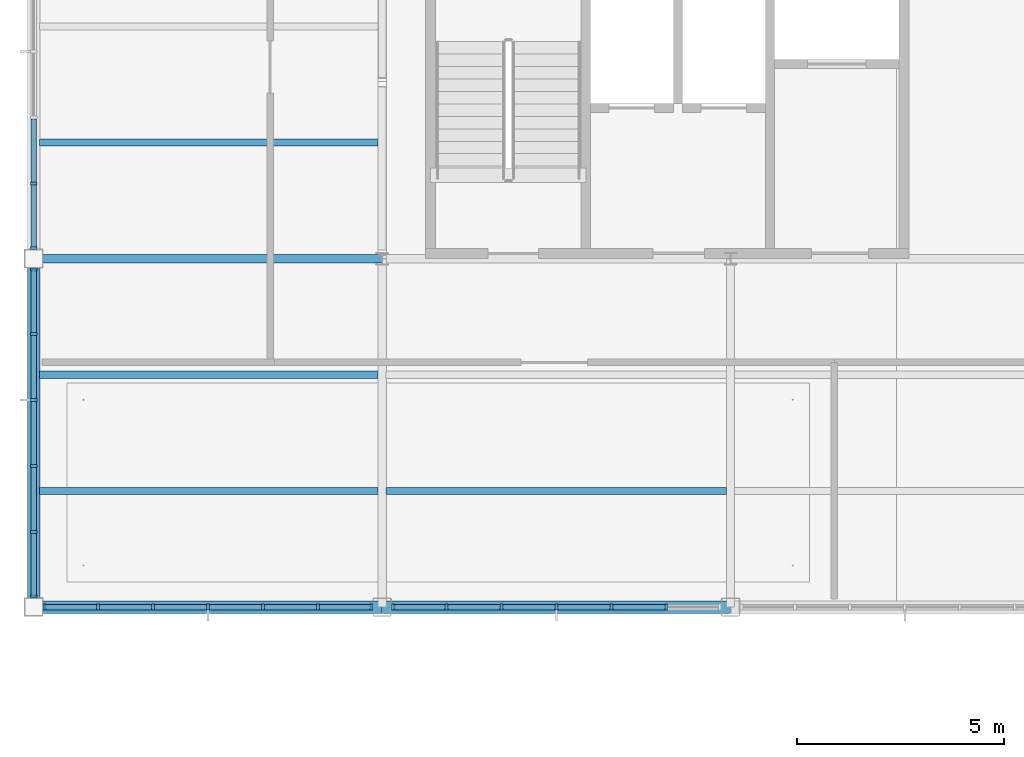
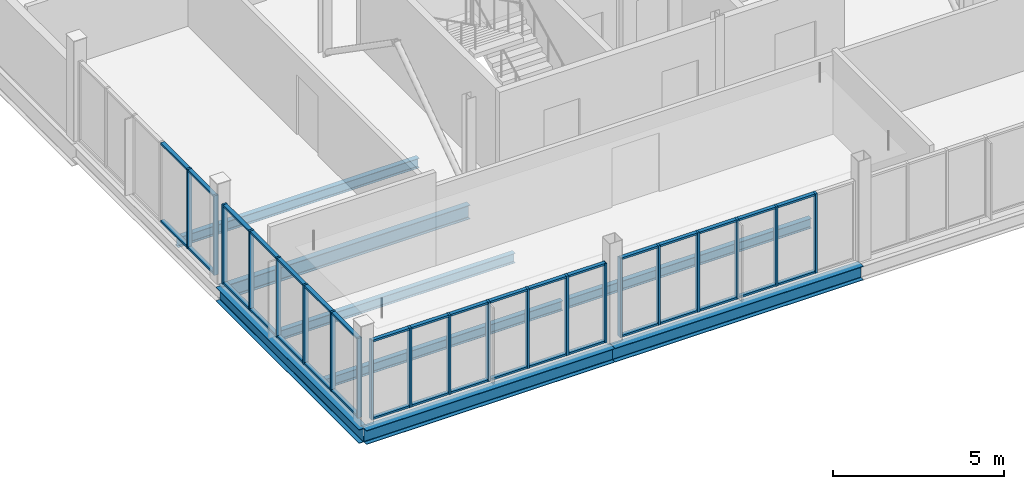
# One storey, part 4 of 19: 57 members, 8 beams, 4 elements without a shape of their own.
"""IFC4 building model written with IfcOpenShell, lengths in metres."""

from ifc_helpers import new_model, si_unit, direction, frame, origin, origin_2d, place, context, subcontext, project, spatial, rectangle, i_section, extrude, material, layer, layer_set, material_profile, profile_set, type_object, element, aggregate, save


model = new_model("IFC4")

# Units and contexts
model_context = context("Model", 3, precision=1e-05, world=origin(), true_north=direction((0.0, 1.0)))
body_context = subcontext(model_context, "Body", "Model", "MODEL_VIEW")
ifc_project = project(units=[si_unit("LENGTHUNIT", "METRE"), si_unit("AREAUNIT", "SQUARE_METRE"), si_unit("VOLUMEUNIT", "CUBIC_METRE"), si_unit("PLANEANGLEUNIT", "RADIAN"), si_unit("MASSUNIT", "GRAM", prefix="KILO")], contexts=[model_context])

# Site, building, storey
site_placement = place(None, origin())
site = spatial("IfcSite", under=ifc_project, at=site_placement, CompositionType="ELEMENT")
building_placement = place(site_placement, origin())
building = spatial("IfcBuilding", under=site, at=building_placement, Name="Yukiwa Park Conservatory and Herbarium", CompositionType="ELEMENT")
storey_placement = place(building_placement, frame((0.0, 0.0, 46.800048828125)))
storey = spatial("IfcBuildingStorey", under=building, at=storey_placement, Name="L12", CompositionType="ELEMENT", Elevation=46.800048828125)

# Beams
ifc_material_1 = material(Name="Steel Q355D", Category="steel")
ifc_material_profile_1 = material_profile(ifc_material_1, i_section(OverallWidth=0.198974609375, OverallDepth=0.49609375, WebThickness=0.009033203125, FlangeThickness=0.013916015625, FilletRadius=0.02001953125, at=origin_2d()), Name="HN 496x199x9x14")
ifc_profile_set_1 = profile_set([ifc_material_profile_1], Name="Steel Q355D")
beam_type_1 = type_object("IfcBeamType", Name="BM-GRD-HN496", PredefinedType="BEAM", material=ifc_profile_set_1)
beam_1_placement = place(storey_placement, frame((124.805908203125, 94.800048828125, -0.494140625), z_axis=(1.0, 0.0, 0.0), x_axis=(0.0, 1.0, 0.0)))
element("IfcBeam", 1, at=beam_1_placement, inside=storey, type_object=beam_type_1, Name="L12 grid beam X-8", PredefinedType="BEAM", context=body_context, shape_type="SweptSolid", body=[
    extrude(i_section(OverallWidth=0.198974609375, OverallDepth=0.49609375, WebThickness=0.009033203125, FlangeThickness=0.013916015625, FilletRadius=0.02001953125, at=origin_2d()), origin(), (0.0, 0.0, 1.0), 8.38818359375),
])
ifc_material_2 = material(Name="Steel Q355D", Category="steel")
ifc_material_profile_2 = material_profile(ifc_material_2, i_section(OverallWidth=0.174072265625, OverallDepth=0.345947265625, WebThickness=0.006103515625, FlangeThickness=0.009033203125, FilletRadius=0.013916015625, at=origin_2d()), Name="HN 346x174x6x9")
ifc_profile_set_2 = profile_set([ifc_material_profile_2], Name="Steel Q355D")
beam_type_2 = type_object("IfcBeamType", Name="BM-JST-HN346", PredefinedType="JOIST", material=ifc_profile_set_2)
for number, where, z_axis, x_axis, name in (
    (2, (124.946044921875, 89.199951171875, -0.4189453125), (1.0, 0.0, 0.0), (0.0, 1.0, 0.0), "L12 composite floor joist 1"),
    (3, (124.946044921875, 92.0, -0.4189453125), (1.0, 0.0, 0.0), (0.0, 1.0, 0.0), "L12 composite floor joist 2"),
    (4, (124.946044921875, 97.60009765625, -0.4189453125), (1.0, 0.0, 0.0), (0.0, 1.0, 0.0), "L12 composite floor joist 3"),
):
    element("IfcBeam", number, at=place(storey_placement, frame(where, z_axis=z_axis, x_axis=x_axis)), inside=storey, type_object=beam_type_2, Name=name, PredefinedType="JOIST", context=body_context, shape_type="SweptSolid", body=[
        extrude(i_section(OverallWidth=0.174072265625, OverallDepth=0.345947265625, WebThickness=0.006103515625, FlangeThickness=0.009033203125, FilletRadius=0.013916015625, at=origin_2d()), origin(), (0.0, 0.0, 1.0), 8.157958984375),
    ])
beam_2_placement = place(storey_placement, frame((133.2958984375, 89.199951171875, -0.4189453125), z_axis=(1.0, 0.0, 0.0), x_axis=(0.0, 1.0, 0.0)))
element("IfcBeam", 5, at=beam_2_placement, inside=storey, type_object=beam_type_2, Name="L12 composite floor joist 7", PredefinedType="JOIST", context=body_context, shape_type="SweptSolid", body=[
    extrude(i_section(OverallWidth=0.174072265625, OverallDepth=0.345947265625, WebThickness=0.006103515625, FlangeThickness=0.009033203125, FilletRadius=0.013916015625, at=origin_2d()), origin(), (0.0, 0.0, 1.0), 8.2080078125),
])
ifc_material_3 = material(Name="Steel Q355D", Category="steel")
ifc_material_profile_3 = material_profile(ifc_material_3, i_section(OverallWidth=0.300048828125, OverallDepth=0.5, WebThickness=0.010986328125, FlangeThickness=0.01806640625, FilletRadius=0.02392578125, at=origin_2d()), Name="HM 500x300x11x18")
ifc_profile_set_3 = profile_set([ifc_material_profile_3], Name="Steel Q355D")
beam_type_3 = type_object("IfcBeamType", Name="BM-SPN-HN500", PredefinedType="SPANDREL", material=ifc_profile_set_3)
beam_3_placement = place(storey_placement, frame((124.805908203125, 86.39990234375, -0.49609375), z_axis=(1.0, 0.0, 0.0), x_axis=(0.0, 1.0, 0.0)))
element("IfcBeam", 6, at=beam_3_placement, inside=storey, type_object=beam_type_3, Name="L12 spandrel beam X-3", PredefinedType="SPANDREL", context=body_context, shape_type="SweptSolid", body=[
    extrude(i_section(OverallWidth=0.300048828125, OverallDepth=0.5, WebThickness=0.010986328125, FlangeThickness=0.01806640625, FilletRadius=0.02392578125, at=origin_2d()), origin(), (0.0, 0.0, 1.0), 8.38818359375),
])
for number, where, z_axis, x_axis, name in (
    (7, (133.2060546875, 86.39990234375, -0.49609375), (1.0, 0.0, 0.0), (0.0, 1.0, 0.0), "L12 spandrel beam X-4"),
    (8, (124.800048828125, 86.406005859375, -0.49609375), (0.0, 1.0, 0.0), (-1.0, 0.0, 0.0), "L12 spandrel girder Y-23"),
):
    element("IfcBeam", number, at=place(storey_placement, frame(where, z_axis=z_axis, x_axis=x_axis)), inside=storey, type_object=beam_type_3, Name=name, PredefinedType="SPANDREL", context=body_context, shape_type="SweptSolid", body=[
        extrude(i_section(OverallWidth=0.300048828125, OverallDepth=0.5, WebThickness=0.010986328125, FlangeThickness=0.01806640625, FilletRadius=0.02392578125, at=origin_2d()), origin(), (0.0, 0.0, 1.0), 8.387939453125),
    ])

# Curtain wall, members
ifc_material_4 = material(Name="Triple Low-E Insulated Glass", Category="glass")
ifc_layer_1 = layer(ifc_material_4, 0.260009765625)
ifc_layer_set_1 = layer_set([ifc_layer_1], Name="Triple Low-E Insulated Glass")
curtain_wall_type_1 = type_object("IfcCurtainWallType", Name="CW-TOWER-LAB-W-1500", PredefinedType="NOTDEFINED", material=ifc_layer_set_1)
curtain_wall_1_placement = place(storey_placement, origin())
curtain_wall_1 = element("IfcCurtainWall", 9, at=curtain_wall_1_placement, inside=storey, type_object=curtain_wall_type_1, Name="L12 unitised curtain wall CW-L12-121", PredefinedType="NOTDEFINED")
ifc_material_5 = material(Name="Anodised Aluminium", Category="aluminium")
member_type_1 = type_object("IfcMemberType", Name="MB-CW-MUL-70X150", PredefinedType="MULLION", material=ifc_material_5)
member_1_placement = place(storey_placement, frame((124.800048828125, 96.614990234375, 0.0), z_axis=(0.0, 0.0, 1.0), x_axis=(0.0, -1.0, 0.0)))
member_1 = element("IfcMember", 10, at=member_1_placement, type_object=member_type_1, Name="CW-L12-121 mullion 5", PredefinedType="MULLION", context=body_context, shape_type="SweptSolid", body=[
    extrude(rectangle(XDim=0.070068359375, YDim=0.14990234375, at=origin_2d()), origin(), (0.0, 0.0, 1.0), 2.840087890625),
])
member_2_placement = place(storey_placement, frame((124.800048828125, 95.06005859375, 0.0), z_axis=(0.0, 0.0, 1.0), x_axis=(0.0, -1.0, 0.0)))
member_2 = element("IfcMember", 11, at=member_2_placement, type_object=member_type_1, Name="CW-L12-121 mullion 6", PredefinedType="MULLION", context=body_context, shape_type="SweptSolid", body=[
    extrude(rectangle(XDim=0.070068359375, YDim=0.14990234375, at=origin_2d()), origin(), (0.0, 0.0, 1.0), 2.840087890625),
])

curtain_wall_2_placement = place(storey_placement, origin())
curtain_wall_2 = element("IfcCurtainWall", 12, at=curtain_wall_2_placement, inside=storey, type_object=curtain_wall_type_1, Name="L12 unitised curtain wall CW-L12-122", PredefinedType="NOTDEFINED")
member_3_placement = place(storey_placement, frame((124.800048828125, 94.5400390625, 0.0), z_axis=(0.0, 0.0, 1.0), x_axis=(0.0, -1.0, 0.0)))
member_3 = element("IfcMember", 13, at=member_3_placement, type_object=member_type_1, Name="CW-L12-122 mullion 1", PredefinedType="MULLION", context=body_context, shape_type="SweptSolid", body=[
    extrude(rectangle(XDim=0.070068359375, YDim=0.14990234375, at=origin_2d()), origin(), (0.0, 0.0, 1.0), 2.840087890625),
])
member_4_placement = place(storey_placement, frame((124.800048828125, 92.985107421875, 0.0), z_axis=(0.0, 0.0, 1.0), x_axis=(0.0, -1.0, 0.0)))
member_4 = element("IfcMember", 14, at=member_4_placement, type_object=member_type_1, Name="CW-L12-122 mullion 2", PredefinedType="MULLION", context=body_context, shape_type="SweptSolid", body=[
    extrude(rectangle(XDim=0.070068359375, YDim=0.14990234375, at=origin_2d()), origin(), (0.0, 0.0, 1.0), 2.840087890625),
])
member_5_placement = place(storey_placement, frame((124.800048828125, 91.39501953125, 0.0), z_axis=(0.0, 0.0, 1.0), x_axis=(0.0, -1.0, 0.0)))
member_5 = element("IfcMember", 15, at=member_5_placement, type_object=member_type_1, Name="CW-L12-122 mullion 3", PredefinedType="MULLION", context=body_context, shape_type="SweptSolid", body=[
    extrude(rectangle(XDim=0.070068359375, YDim=0.14990234375, at=origin_2d()), origin(), (0.0, 0.0, 1.0), 2.840087890625),
])
member_6_placement = place(storey_placement, frame((124.800048828125, 89.804931640625, 0.0), z_axis=(0.0, 0.0, 1.0), x_axis=(0.0, -1.0, 0.0)))
member_6 = element("IfcMember", 16, at=member_6_placement, type_object=member_type_1, Name="CW-L12-122 mullion 4", PredefinedType="MULLION", context=body_context, shape_type="SweptSolid", body=[
    extrude(rectangle(XDim=0.070068359375, YDim=0.14990234375, at=origin_2d()), origin(), (0.0, 0.0, 1.0), 2.840087890625),
])
member_7_placement = place(storey_placement, frame((124.800048828125, 88.215087890625, 0.0), z_axis=(0.0, 0.0, 1.0), x_axis=(0.0, -1.0, 0.0)))
member_7 = element("IfcMember", 17, at=member_7_placement, type_object=member_type_1, Name="CW-L12-122 mullion 5", PredefinedType="MULLION", context=body_context, shape_type="SweptSolid", body=[
    extrude(rectangle(XDim=0.070068359375, YDim=0.14990234375, at=origin_2d()), origin(), (0.0, 0.0, 1.0), 2.840087890625),
])
member_8_placement = place(storey_placement, frame((124.800048828125, 86.659912109375, 0.0), z_axis=(0.0, 0.0, 1.0), x_axis=(0.0, -1.0, 0.0)))
member_8 = element("IfcMember", 18, at=member_8_placement, type_object=member_type_1, Name="CW-L12-122 mullion 6", PredefinedType="MULLION", context=body_context, shape_type="SweptSolid", body=[
    extrude(rectangle(XDim=0.070068359375, YDim=0.14990234375, at=origin_2d()), origin(), (0.0, 0.0, 1.0), 2.840087890625),
])

ifc_material_6 = material(Name="Triple Low-E Insulated Glass", Category="glass")
ifc_layer_2 = layer(ifc_material_6, 0.248046875)
ifc_layer_set_2 = layer_set([ifc_layer_2], Name="Triple Low-E Insulated Glass")
curtain_wall_type_2 = type_object("IfcCurtainWallType", Name="CW-TOWER-LAB-S-1400", PredefinedType="NOTDEFINED", material=ifc_layer_set_2)
curtain_wall_3_placement = place(storey_placement, origin())
curtain_wall_3 = element("IfcCurtainWall", 19, at=curtain_wall_3_placement, inside=storey, type_object=curtain_wall_type_2, Name="L12 unitised curtain wall CW-L12-123", PredefinedType="NOTDEFINED")
member_9_placement = place(storey_placement, frame((125.06005859375, 86.39990234375, 0.0), z_axis=(0.0, 0.0, 1.0), x_axis=(1.0, 0.0, 0.0)))
member_9 = element("IfcMember", 20, at=member_9_placement, type_object=member_type_1, Name="CW-L12-123 mullion 1", PredefinedType="MULLION", context=body_context, shape_type="SweptSolid", body=[
    extrude(rectangle(XDim=0.070068359375, YDim=0.14990234375, at=origin_2d()), origin(), (0.0, 0.0, 1.0), 2.837890625),
])
member_10_placement = place(storey_placement, frame((126.35009765625, 86.39990234375, 0.0), z_axis=(0.0, 0.0, 1.0), x_axis=(1.0, 0.0, 0.0)))
member_10 = element("IfcMember", 21, at=member_10_placement, type_object=member_type_1, Name="CW-L12-123 mullion 2", PredefinedType="MULLION", context=body_context, shape_type="SweptSolid", body=[
    extrude(rectangle(XDim=0.070068359375, YDim=0.14990234375, at=origin_2d()), origin(), (0.0, 0.0, 1.0), 2.837890625),
])
member_11_placement = place(storey_placement, frame((127.675048828125, 86.39990234375, 0.0), z_axis=(0.0, 0.0, 1.0), x_axis=(1.0, 0.0, 0.0)))
member_11 = element("IfcMember", 22, at=member_11_placement, type_object=member_type_1, Name="CW-L12-123 mullion 3", PredefinedType="MULLION", context=body_context, shape_type="SweptSolid", body=[
    extrude(rectangle(XDim=0.070068359375, YDim=0.14990234375, at=origin_2d()), origin(), (0.0, 0.0, 1.0), 2.837890625),
])
member_12_placement = place(storey_placement, frame((129.0, 86.39990234375, 0.0), z_axis=(0.0, 0.0, 1.0), x_axis=(1.0, 0.0, 0.0)))
member_12 = element("IfcMember", 23, at=member_12_placement, type_object=member_type_1, Name="CW-L12-123 mullion 4", PredefinedType="MULLION", context=body_context, shape_type="SweptSolid", body=[
    extrude(rectangle(XDim=0.070068359375, YDim=0.14990234375, at=origin_2d()), origin(), (0.0, 0.0, 1.0), 2.837890625),
])
member_13_placement = place(storey_placement, frame((130.324951171875, 86.39990234375, 0.0), z_axis=(0.0, 0.0, 1.0), x_axis=(1.0, 0.0, 0.0)))
member_13 = element("IfcMember", 24, at=member_13_placement, type_object=member_type_1, Name="CW-L12-123 mullion 5", PredefinedType="MULLION", context=body_context, shape_type="SweptSolid", body=[
    extrude(rectangle(XDim=0.070068359375, YDim=0.14990234375, at=origin_2d()), origin(), (0.0, 0.0, 1.0), 2.837890625),
])
member_14_placement = place(storey_placement, frame((131.64990234375, 86.39990234375, 0.0), z_axis=(0.0, 0.0, 1.0), x_axis=(1.0, 0.0, 0.0)))
member_14 = element("IfcMember", 25, at=member_14_placement, type_object=member_type_1, Name="CW-L12-123 mullion 6", PredefinedType="MULLION", context=body_context, shape_type="SweptSolid", body=[
    extrude(rectangle(XDim=0.070068359375, YDim=0.14990234375, at=origin_2d()), origin(), (0.0, 0.0, 1.0), 2.837890625),
])
member_15_placement = place(storey_placement, frame((132.93994140625, 86.39990234375, 0.0), z_axis=(0.0, 0.0, 1.0), x_axis=(1.0, 0.0, 0.0)))
member_15 = element("IfcMember", 26, at=member_15_placement, type_object=member_type_1, Name="CW-L12-123 mullion 7", PredefinedType="MULLION", context=body_context, shape_type="SweptSolid", body=[
    extrude(rectangle(XDim=0.070068359375, YDim=0.14990234375, at=origin_2d()), origin(), (0.0, 0.0, 1.0), 2.837890625),
])

curtain_wall_4_placement = place(storey_placement, origin())
curtain_wall_4 = element("IfcCurtainWall", 27, at=curtain_wall_4_placement, inside=storey, type_object=curtain_wall_type_2, Name="L12 unitised curtain wall CW-L12-124", PredefinedType="NOTDEFINED")
member_16_placement = place(storey_placement, frame((133.4599609375, 86.39990234375, 0.0), z_axis=(0.0, 0.0, 1.0), x_axis=(1.0, 0.0, 0.0)))
member_16 = element("IfcMember", 28, at=member_16_placement, type_object=member_type_1, Name="CW-L12-124 mullion 1", PredefinedType="MULLION", context=body_context, shape_type="SweptSolid", body=[
    extrude(rectangle(XDim=0.070068359375, YDim=0.14990234375, at=origin_2d()), origin(), (0.0, 0.0, 1.0), 2.837890625),
])
member_17_placement = place(storey_placement, frame((134.75, 86.39990234375, 0.0), z_axis=(0.0, 0.0, 1.0), x_axis=(1.0, 0.0, 0.0)))
member_17 = element("IfcMember", 29, at=member_17_placement, type_object=member_type_1, Name="CW-L12-124 mullion 2", PredefinedType="MULLION", context=body_context, shape_type="SweptSolid", body=[
    extrude(rectangle(XDim=0.070068359375, YDim=0.14990234375, at=origin_2d()), origin(), (0.0, 0.0, 1.0), 2.837890625),
])
member_18_placement = place(storey_placement, frame((136.074951171875, 86.39990234375, 0.0), z_axis=(0.0, 0.0, 1.0), x_axis=(1.0, 0.0, 0.0)))
member_18 = element("IfcMember", 30, at=member_18_placement, type_object=member_type_1, Name="CW-L12-124 mullion 3", PredefinedType="MULLION", context=body_context, shape_type="SweptSolid", body=[
    extrude(rectangle(XDim=0.070068359375, YDim=0.14990234375, at=origin_2d()), origin(), (0.0, 0.0, 1.0), 2.837890625),
])
member_19_placement = place(storey_placement, frame((137.39990234375, 86.39990234375, 0.0), z_axis=(0.0, 0.0, 1.0), x_axis=(1.0, 0.0, 0.0)))
member_19 = element("IfcMember", 31, at=member_19_placement, type_object=member_type_1, Name="CW-L12-124 mullion 4", PredefinedType="MULLION", context=body_context, shape_type="SweptSolid", body=[
    extrude(rectangle(XDim=0.070068359375, YDim=0.14990234375, at=origin_2d()), origin(), (0.0, 0.0, 1.0), 2.837890625),
])
member_20_placement = place(storey_placement, frame((138.72509765625, 86.39990234375, 0.0), z_axis=(0.0, 0.0, 1.0), x_axis=(1.0, 0.0, 0.0)))
member_20 = element("IfcMember", 32, at=member_20_placement, type_object=member_type_1, Name="CW-L12-124 mullion 5", PredefinedType="MULLION", context=body_context, shape_type="SweptSolid", body=[
    extrude(rectangle(XDim=0.070068359375, YDim=0.14990234375, at=origin_2d()), origin(), (0.0, 0.0, 1.0), 2.837890625),
])
member_21_placement = place(storey_placement, frame((140.050048828125, 86.39990234375, 0.0), z_axis=(0.0, 0.0, 1.0), x_axis=(1.0, 0.0, 0.0)))
member_21 = element("IfcMember", 33, at=member_21_placement, type_object=member_type_1, Name="CW-L12-124 mullion 6", PredefinedType="MULLION", context=body_context, shape_type="SweptSolid", body=[
    extrude(rectangle(XDim=0.070068359375, YDim=0.14990234375, at=origin_2d()), origin(), (0.0, 0.0, 1.0), 2.837890625),
])

# Member
ifc_material_7 = material(Name="Anodised Aluminium", Category="aluminium")
member_type_2 = type_object("IfcMemberType", Name="MB-CW-TRN-70X130", PredefinedType="USERDEFINED", material=ifc_material_7)
member_22_placement = place(storey_placement, frame((124.800048828125, 97.409912109375, 0.0), z_axis=(0.0, 0.0, 1.0), x_axis=(0.0, -1.0, 0.0)))
member_22 = element("IfcMember", 34, at=member_22_placement, type_object=member_type_2, Name="CW-L12-121 transom 4.1", ObjectType="TRANSOM", PredefinedType="USERDEFINED", context=body_context, shape_type="SweptSolid", body=[
    extrude(rectangle(XDim=1.52001953125, YDim=0.1298828125, at=origin_2d()), origin(), (0.0, 0.0, 1.0), 0.070068359375),
])

member_23_placement = place(storey_placement, frame((124.800048828125, 97.409912109375, 2.77001953125), z_axis=(0.0, 0.0, 1.0), x_axis=(0.0, -1.0, 0.0)))
member_23 = element("IfcMember", 35, at=member_23_placement, type_object=member_type_2, Name="CW-L12-121 transom 4.2", ObjectType="TRANSOM", PredefinedType="USERDEFINED", context=body_context, shape_type="SweptSolid", body=[
    extrude(rectangle(XDim=1.52001953125, YDim=0.1298828125, at=origin_2d()), origin(), (0.0, 0.0, 1.0), 0.070068359375),
])

member_24_placement = place(storey_placement, frame((124.800048828125, 95.820068359375, 0.0), z_axis=(0.0, 0.0, 1.0), x_axis=(0.0, -1.0, 0.0)))
member_24 = element("IfcMember", 36, at=member_24_placement, type_object=member_type_2, Name="CW-L12-121 transom 5.1", ObjectType="TRANSOM", PredefinedType="USERDEFINED", context=body_context, shape_type="SweptSolid", body=[
    extrude(rectangle(XDim=1.52001953125, YDim=0.1298828125, at=origin_2d()), origin(), (0.0, 0.0, 1.0), 0.070068359375),
])

member_25_placement = place(storey_placement, frame((124.800048828125, 95.820068359375, 2.77001953125), z_axis=(0.0, 0.0, 1.0), x_axis=(0.0, -1.0, 0.0)))
member_25 = element("IfcMember", 37, at=member_25_placement, type_object=member_type_2, Name="CW-L12-121 transom 5.2", ObjectType="TRANSOM", PredefinedType="USERDEFINED", context=body_context, shape_type="SweptSolid", body=[
    extrude(rectangle(XDim=1.52001953125, YDim=0.1298828125, at=origin_2d()), origin(), (0.0, 0.0, 1.0), 0.070068359375),
])

aggregate(curtain_wall_1, [member_1, member_2, member_22, member_23, member_24, member_25])

member_26_placement = place(storey_placement, frame((124.800048828125, 93.780029296875, 0.0), z_axis=(0.0, 0.0, 1.0), x_axis=(0.0, -1.0, 0.0)))
member_26 = element("IfcMember", 38, at=member_26_placement, type_object=member_type_2, Name="CW-L12-122 transom 1.1", ObjectType="TRANSOM", PredefinedType="USERDEFINED", context=body_context, shape_type="SweptSolid", body=[
    extrude(rectangle(XDim=1.52001953125, YDim=0.1298828125, at=origin_2d()), origin(), (0.0, 0.0, 1.0), 0.070068359375),
])

member_27_placement = place(storey_placement, frame((124.800048828125, 93.780029296875, 2.77001953125), z_axis=(0.0, 0.0, 1.0), x_axis=(0.0, -1.0, 0.0)))
member_27 = element("IfcMember", 39, at=member_27_placement, type_object=member_type_2, Name="CW-L12-122 transom 1.2", ObjectType="TRANSOM", PredefinedType="USERDEFINED", context=body_context, shape_type="SweptSolid", body=[
    extrude(rectangle(XDim=1.52001953125, YDim=0.1298828125, at=origin_2d()), origin(), (0.0, 0.0, 1.0), 0.070068359375),
])

member_28_placement = place(storey_placement, frame((124.800048828125, 92.18994140625, 0.0), z_axis=(0.0, 0.0, 1.0), x_axis=(0.0, -1.0, 0.0)))
member_28 = element("IfcMember", 40, at=member_28_placement, type_object=member_type_2, Name="CW-L12-122 transom 2.1", ObjectType="TRANSOM", PredefinedType="USERDEFINED", context=body_context, shape_type="SweptSolid", body=[
    extrude(rectangle(XDim=1.52001953125, YDim=0.1298828125, at=origin_2d()), origin(), (0.0, 0.0, 1.0), 0.070068359375),
])

member_29_placement = place(storey_placement, frame((124.800048828125, 92.18994140625, 2.77001953125), z_axis=(0.0, 0.0, 1.0), x_axis=(0.0, -1.0, 0.0)))
member_29 = element("IfcMember", 41, at=member_29_placement, type_object=member_type_2, Name="CW-L12-122 transom 2.2", ObjectType="TRANSOM", PredefinedType="USERDEFINED", context=body_context, shape_type="SweptSolid", body=[
    extrude(rectangle(XDim=1.52001953125, YDim=0.1298828125, at=origin_2d()), origin(), (0.0, 0.0, 1.0), 0.070068359375),
])

member_30_placement = place(storey_placement, frame((124.800048828125, 90.60009765625, 0.0), z_axis=(0.0, 0.0, 1.0), x_axis=(0.0, -1.0, 0.0)))
member_30 = element("IfcMember", 42, at=member_30_placement, type_object=member_type_2, Name="CW-L12-122 transom 3.1", ObjectType="TRANSOM", PredefinedType="USERDEFINED", context=body_context, shape_type="SweptSolid", body=[
    extrude(rectangle(XDim=1.52001953125, YDim=0.1298828125, at=origin_2d()), origin(), (0.0, 0.0, 1.0), 0.070068359375),
])

member_31_placement = place(storey_placement, frame((124.800048828125, 90.60009765625, 2.77001953125), z_axis=(0.0, 0.0, 1.0), x_axis=(0.0, -1.0, 0.0)))
member_31 = element("IfcMember", 43, at=member_31_placement, type_object=member_type_2, Name="CW-L12-122 transom 3.2", ObjectType="TRANSOM", PredefinedType="USERDEFINED", context=body_context, shape_type="SweptSolid", body=[
    extrude(rectangle(XDim=1.52001953125, YDim=0.1298828125, at=origin_2d()), origin(), (0.0, 0.0, 1.0), 0.070068359375),
])

member_32_placement = place(storey_placement, frame((124.800048828125, 89.010009765625, 0.0), z_axis=(0.0, 0.0, 1.0), x_axis=(0.0, -1.0, 0.0)))
member_32 = element("IfcMember", 44, at=member_32_placement, type_object=member_type_2, Name="CW-L12-122 transom 4.1", ObjectType="TRANSOM", PredefinedType="USERDEFINED", context=body_context, shape_type="SweptSolid", body=[
    extrude(rectangle(XDim=1.52001953125, YDim=0.1298828125, at=origin_2d()), origin(), (0.0, 0.0, 1.0), 0.070068359375),
])

member_33_placement = place(storey_placement, frame((124.800048828125, 89.010009765625, 2.77001953125), z_axis=(0.0, 0.0, 1.0), x_axis=(0.0, -1.0, 0.0)))
member_33 = element("IfcMember", 45, at=member_33_placement, type_object=member_type_2, Name="CW-L12-122 transom 4.2", ObjectType="TRANSOM", PredefinedType="USERDEFINED", context=body_context, shape_type="SweptSolid", body=[
    extrude(rectangle(XDim=1.52001953125, YDim=0.1298828125, at=origin_2d()), origin(), (0.0, 0.0, 1.0), 0.070068359375),
])

member_34_placement = place(storey_placement, frame((124.800048828125, 87.419921875, 0.0), z_axis=(0.0, 0.0, 1.0), x_axis=(0.0, -1.0, 0.0)))
member_34 = element("IfcMember", 46, at=member_34_placement, type_object=member_type_2, Name="CW-L12-122 transom 5.1", ObjectType="TRANSOM", PredefinedType="USERDEFINED", context=body_context, shape_type="SweptSolid", body=[
    extrude(rectangle(XDim=1.52001953125, YDim=0.1298828125, at=origin_2d()), origin(), (0.0, 0.0, 1.0), 0.070068359375),
])

member_35_placement = place(storey_placement, frame((124.800048828125, 87.419921875, 2.77001953125), z_axis=(0.0, 0.0, 1.0), x_axis=(0.0, -1.0, 0.0)))
member_35 = element("IfcMember", 47, at=member_35_placement, type_object=member_type_2, Name="CW-L12-122 transom 5.2", ObjectType="TRANSOM", PredefinedType="USERDEFINED", context=body_context, shape_type="SweptSolid", body=[
    extrude(rectangle(XDim=1.52001953125, YDim=0.1298828125, at=origin_2d()), origin(), (0.0, 0.0, 1.0), 0.070068359375),
])

aggregate(curtain_wall_2, [member_3, member_4, member_5, member_6, member_7, member_8, member_26, member_27, member_28, member_29, member_30, member_31, member_32, member_33, member_34, member_35])

member_36_placement = place(storey_placement, frame((125.6875, 86.39990234375, 0.0), z_axis=(0.0, 0.0, 1.0), x_axis=(1.0, 0.0, 0.0)))
member_36 = element("IfcMember", 48, at=member_36_placement, type_object=member_type_2, Name="CW-L12-123 transom 1.1", ObjectType="TRANSOM", PredefinedType="USERDEFINED", context=body_context, shape_type="SweptSolid", body=[
    extrude(rectangle(XDim=1.2548828125, YDim=0.1298828125, at=origin_2d()), origin(), (0.0, 0.0, 1.0), 0.070068359375),
])

member_37_placement = place(storey_placement, frame((125.6875, 86.39990234375, 2.76806640625), z_axis=(0.0, 0.0, 1.0), x_axis=(1.0, 0.0, 0.0)))
member_37 = element("IfcMember", 49, at=member_37_placement, type_object=member_type_2, Name="CW-L12-123 transom 1.2", ObjectType="TRANSOM", PredefinedType="USERDEFINED", context=body_context, shape_type="SweptSolid", body=[
    extrude(rectangle(XDim=1.2548828125, YDim=0.1298828125, at=origin_2d()), origin(), (0.0, 0.0, 1.0), 0.070068359375),
])

member_38_placement = place(storey_placement, frame((127.012451171875, 86.39990234375, 0.0), z_axis=(0.0, 0.0, 1.0), x_axis=(1.0, 0.0, 0.0)))
member_38 = element("IfcMember", 50, at=member_38_placement, type_object=member_type_2, Name="CW-L12-123 transom 2.1", ObjectType="TRANSOM", PredefinedType="USERDEFINED", context=body_context, shape_type="SweptSolid", body=[
    extrude(rectangle(XDim=1.2548828125, YDim=0.1298828125, at=origin_2d()), origin(), (0.0, 0.0, 1.0), 0.070068359375),
])

member_39_placement = place(storey_placement, frame((127.012451171875, 86.39990234375, 2.76806640625), z_axis=(0.0, 0.0, 1.0), x_axis=(1.0, 0.0, 0.0)))
member_39 = element("IfcMember", 51, at=member_39_placement, type_object=member_type_2, Name="CW-L12-123 transom 2.2", ObjectType="TRANSOM", PredefinedType="USERDEFINED", context=body_context, shape_type="SweptSolid", body=[
    extrude(rectangle(XDim=1.2548828125, YDim=0.1298828125, at=origin_2d()), origin(), (0.0, 0.0, 1.0), 0.070068359375),
])

member_40_placement = place(storey_placement, frame((128.33740234375, 86.39990234375, 0.0), z_axis=(0.0, 0.0, 1.0), x_axis=(1.0, 0.0, 0.0)))
member_40 = element("IfcMember", 52, at=member_40_placement, type_object=member_type_2, Name="CW-L12-123 transom 3.1", ObjectType="TRANSOM", PredefinedType="USERDEFINED", context=body_context, shape_type="SweptSolid", body=[
    extrude(rectangle(XDim=1.2548828125, YDim=0.1298828125, at=origin_2d()), origin(), (0.0, 0.0, 1.0), 0.070068359375),
])

member_41_placement = place(storey_placement, frame((128.33740234375, 86.39990234375, 2.76806640625), z_axis=(0.0, 0.0, 1.0), x_axis=(1.0, 0.0, 0.0)))
member_41 = element("IfcMember", 53, at=member_41_placement, type_object=member_type_2, Name="CW-L12-123 transom 3.2", ObjectType="TRANSOM", PredefinedType="USERDEFINED", context=body_context, shape_type="SweptSolid", body=[
    extrude(rectangle(XDim=1.2548828125, YDim=0.1298828125, at=origin_2d()), origin(), (0.0, 0.0, 1.0), 0.070068359375),
])

member_42_placement = place(storey_placement, frame((129.66259765625, 86.39990234375, 0.0), z_axis=(0.0, 0.0, 1.0), x_axis=(1.0, 0.0, 0.0)))
member_42 = element("IfcMember", 54, at=member_42_placement, type_object=member_type_2, Name="CW-L12-123 transom 4.1", ObjectType="TRANSOM", PredefinedType="USERDEFINED", context=body_context, shape_type="SweptSolid", body=[
    extrude(rectangle(XDim=1.2548828125, YDim=0.1298828125, at=origin_2d()), origin(), (0.0, 0.0, 1.0), 0.070068359375),
])

member_43_placement = place(storey_placement, frame((129.66259765625, 86.39990234375, 2.76806640625), z_axis=(0.0, 0.0, 1.0), x_axis=(1.0, 0.0, 0.0)))
member_43 = element("IfcMember", 55, at=member_43_placement, type_object=member_type_2, Name="CW-L12-123 transom 4.2", ObjectType="TRANSOM", PredefinedType="USERDEFINED", context=body_context, shape_type="SweptSolid", body=[
    extrude(rectangle(XDim=1.2548828125, YDim=0.1298828125, at=origin_2d()), origin(), (0.0, 0.0, 1.0), 0.070068359375),
])

member_44_placement = place(storey_placement, frame((130.987548828125, 86.39990234375, 0.0), z_axis=(0.0, 0.0, 1.0), x_axis=(1.0, 0.0, 0.0)))
member_44 = element("IfcMember", 56, at=member_44_placement, type_object=member_type_2, Name="CW-L12-123 transom 5.1", ObjectType="TRANSOM", PredefinedType="USERDEFINED", context=body_context, shape_type="SweptSolid", body=[
    extrude(rectangle(XDim=1.2548828125, YDim=0.1298828125, at=origin_2d()), origin(), (0.0, 0.0, 1.0), 0.070068359375),
])

member_45_placement = place(storey_placement, frame((130.987548828125, 86.39990234375, 2.76806640625), z_axis=(0.0, 0.0, 1.0), x_axis=(1.0, 0.0, 0.0)))
member_45 = element("IfcMember", 57, at=member_45_placement, type_object=member_type_2, Name="CW-L12-123 transom 5.2", ObjectType="TRANSOM", PredefinedType="USERDEFINED", context=body_context, shape_type="SweptSolid", body=[
    extrude(rectangle(XDim=1.2548828125, YDim=0.1298828125, at=origin_2d()), origin(), (0.0, 0.0, 1.0), 0.070068359375),
])

member_46_placement = place(storey_placement, frame((132.3125, 86.39990234375, 0.0), z_axis=(0.0, 0.0, 1.0), x_axis=(1.0, 0.0, 0.0)))
member_46 = element("IfcMember", 58, at=member_46_placement, type_object=member_type_2, Name="CW-L12-123 transom 6.1", ObjectType="TRANSOM", PredefinedType="USERDEFINED", context=body_context, shape_type="SweptSolid", body=[
    extrude(rectangle(XDim=1.2548828125, YDim=0.1298828125, at=origin_2d()), origin(), (0.0, 0.0, 1.0), 0.070068359375),
])

member_47_placement = place(storey_placement, frame((132.3125, 86.39990234375, 2.76806640625), z_axis=(0.0, 0.0, 1.0), x_axis=(1.0, 0.0, 0.0)))
member_47 = element("IfcMember", 59, at=member_47_placement, type_object=member_type_2, Name="CW-L12-123 transom 6.2", ObjectType="TRANSOM", PredefinedType="USERDEFINED", context=body_context, shape_type="SweptSolid", body=[
    extrude(rectangle(XDim=1.2548828125, YDim=0.1298828125, at=origin_2d()), origin(), (0.0, 0.0, 1.0), 0.070068359375),
])

aggregate(curtain_wall_3, [member_9, member_10, member_11, member_12, member_13, member_14, member_15, member_36, member_37, member_38, member_39, member_40, member_41, member_42, member_43, member_44, member_45, member_46, member_47])

member_48_placement = place(storey_placement, frame((134.08740234375, 86.39990234375, 0.0), z_axis=(0.0, 0.0, 1.0), x_axis=(1.0, 0.0, 0.0)))
member_48 = element("IfcMember", 60, at=member_48_placement, type_object=member_type_2, Name="CW-L12-124 transom 1.1", ObjectType="TRANSOM", PredefinedType="USERDEFINED", context=body_context, shape_type="SweptSolid", body=[
    extrude(rectangle(XDim=1.2548828125, YDim=0.1298828125, at=origin_2d()), origin(), (0.0, 0.0, 1.0), 0.070068359375),
])

member_49_placement = place(storey_placement, frame((134.08740234375, 86.39990234375, 2.76806640625), z_axis=(0.0, 0.0, 1.0), x_axis=(1.0, 0.0, 0.0)))
member_49 = element("IfcMember", 61, at=member_49_placement, type_object=member_type_2, Name="CW-L12-124 transom 1.2", ObjectType="TRANSOM", PredefinedType="USERDEFINED", context=body_context, shape_type="SweptSolid", body=[
    extrude(rectangle(XDim=1.2548828125, YDim=0.1298828125, at=origin_2d()), origin(), (0.0, 0.0, 1.0), 0.070068359375),
])

member_50_placement = place(storey_placement, frame((135.41259765625, 86.39990234375, 0.0), z_axis=(0.0, 0.0, 1.0), x_axis=(1.0, 0.0, 0.0)))
member_50 = element("IfcMember", 62, at=member_50_placement, type_object=member_type_2, Name="CW-L12-124 transom 2.1", ObjectType="TRANSOM", PredefinedType="USERDEFINED", context=body_context, shape_type="SweptSolid", body=[
    extrude(rectangle(XDim=1.2548828125, YDim=0.1298828125, at=origin_2d()), origin(), (0.0, 0.0, 1.0), 0.070068359375),
])

member_51_placement = place(storey_placement, frame((135.41259765625, 86.39990234375, 2.76806640625), z_axis=(0.0, 0.0, 1.0), x_axis=(1.0, 0.0, 0.0)))
member_51 = element("IfcMember", 63, at=member_51_placement, type_object=member_type_2, Name="CW-L12-124 transom 2.2", ObjectType="TRANSOM", PredefinedType="USERDEFINED", context=body_context, shape_type="SweptSolid", body=[
    extrude(rectangle(XDim=1.2548828125, YDim=0.1298828125, at=origin_2d()), origin(), (0.0, 0.0, 1.0), 0.070068359375),
])

member_52_placement = place(storey_placement, frame((136.737548828125, 86.39990234375, 0.0), z_axis=(0.0, 0.0, 1.0), x_axis=(1.0, 0.0, 0.0)))
member_52 = element("IfcMember", 64, at=member_52_placement, type_object=member_type_2, Name="CW-L12-124 transom 3.1", ObjectType="TRANSOM", PredefinedType="USERDEFINED", context=body_context, shape_type="SweptSolid", body=[
    extrude(rectangle(XDim=1.2548828125, YDim=0.1298828125, at=origin_2d()), origin(), (0.0, 0.0, 1.0), 0.070068359375),
])

member_53_placement = place(storey_placement, frame((136.737548828125, 86.39990234375, 2.76806640625), z_axis=(0.0, 0.0, 1.0), x_axis=(1.0, 0.0, 0.0)))
member_53 = element("IfcMember", 65, at=member_53_placement, type_object=member_type_2, Name="CW-L12-124 transom 3.2", ObjectType="TRANSOM", PredefinedType="USERDEFINED", context=body_context, shape_type="SweptSolid", body=[
    extrude(rectangle(XDim=1.2548828125, YDim=0.1298828125, at=origin_2d()), origin(), (0.0, 0.0, 1.0), 0.070068359375),
])

member_54_placement = place(storey_placement, frame((138.0625, 86.39990234375, 0.0), z_axis=(0.0, 0.0, 1.0), x_axis=(1.0, 0.0, 0.0)))
member_54 = element("IfcMember", 66, at=member_54_placement, type_object=member_type_2, Name="CW-L12-124 transom 4.1", ObjectType="TRANSOM", PredefinedType="USERDEFINED", context=body_context, shape_type="SweptSolid", body=[
    extrude(rectangle(XDim=1.2548828125, YDim=0.1298828125, at=origin_2d()), origin(), (0.0, 0.0, 1.0), 0.070068359375),
])

member_55_placement = place(storey_placement, frame((138.0625, 86.39990234375, 2.76806640625), z_axis=(0.0, 0.0, 1.0), x_axis=(1.0, 0.0, 0.0)))
member_55 = element("IfcMember", 67, at=member_55_placement, type_object=member_type_2, Name="CW-L12-124 transom 4.2", ObjectType="TRANSOM", PredefinedType="USERDEFINED", context=body_context, shape_type="SweptSolid", body=[
    extrude(rectangle(XDim=1.2548828125, YDim=0.1298828125, at=origin_2d()), origin(), (0.0, 0.0, 1.0), 0.070068359375),
])

member_56_placement = place(storey_placement, frame((139.387451171875, 86.39990234375, 0.0), z_axis=(0.0, 0.0, 1.0), x_axis=(1.0, 0.0, 0.0)))
member_56 = element("IfcMember", 68, at=member_56_placement, type_object=member_type_2, Name="CW-L12-124 transom 5.1", ObjectType="TRANSOM", PredefinedType="USERDEFINED", context=body_context, shape_type="SweptSolid", body=[
    extrude(rectangle(XDim=1.2548828125, YDim=0.1298828125, at=origin_2d()), origin(), (0.0, 0.0, 1.0), 0.070068359375),
])

member_57_placement = place(storey_placement, frame((139.387451171875, 86.39990234375, 2.76806640625), z_axis=(0.0, 0.0, 1.0), x_axis=(1.0, 0.0, 0.0)))
member_57 = element("IfcMember", 69, at=member_57_placement, type_object=member_type_2, Name="CW-L12-124 transom 5.2", ObjectType="TRANSOM", PredefinedType="USERDEFINED", context=body_context, shape_type="SweptSolid", body=[
    extrude(rectangle(XDim=1.2548828125, YDim=0.1298828125, at=origin_2d()), origin(), (0.0, 0.0, 1.0), 0.070068359375),
])

aggregate(curtain_wall_4, [member_16, member_17, member_18, member_19, member_20, member_21, member_48, member_49, member_50, member_51, member_52, member_53, member_54, member_55, member_56, member_57])

save(model, "model.ifc")
